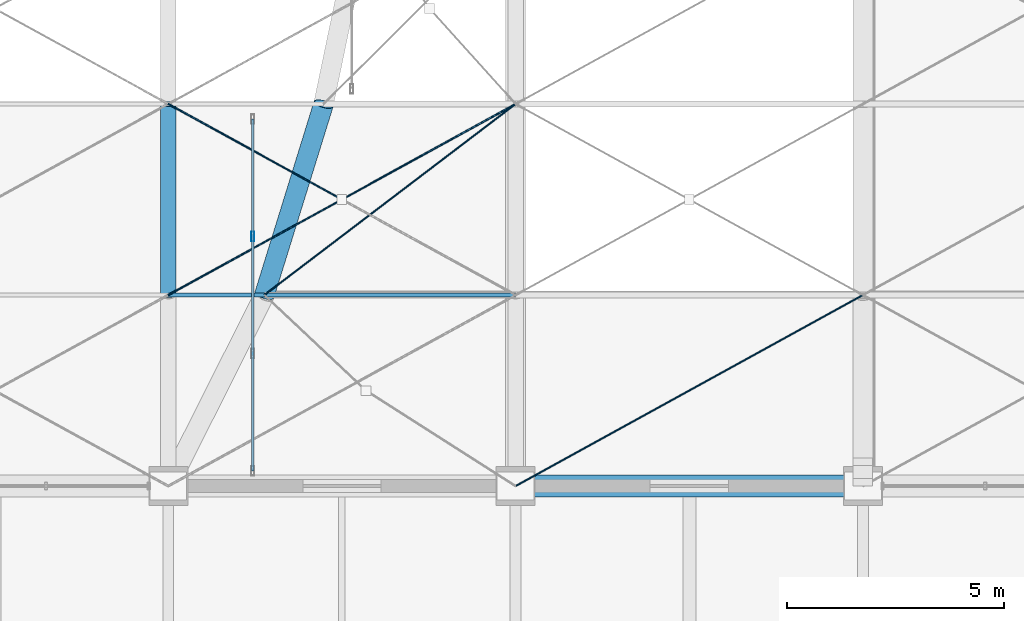
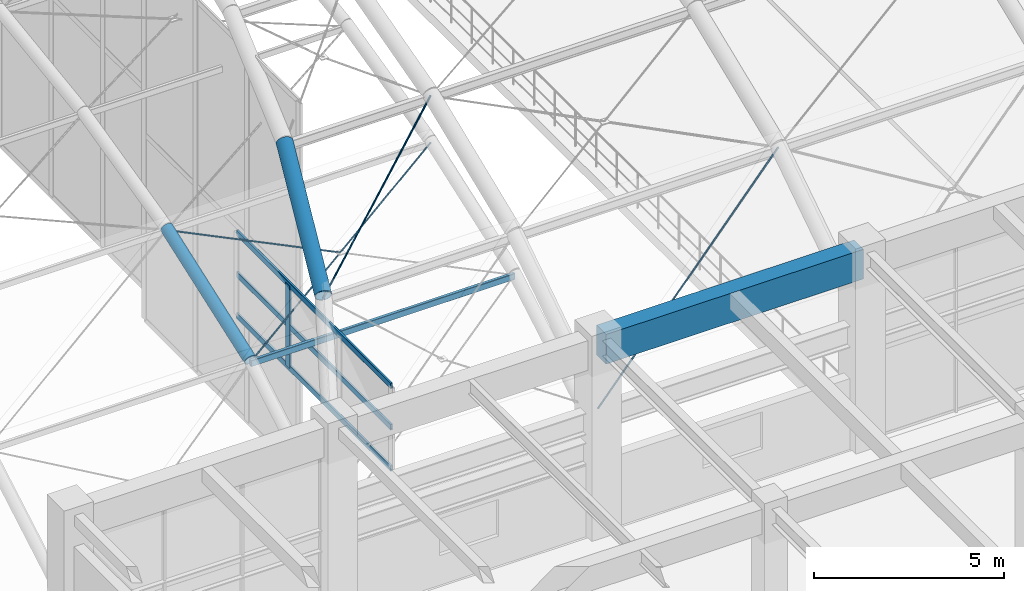
# One storey, part 17 of 163: 8 members, 4 beams, 1 element without a shape of its own.
"""IFC4 building model written with IfcOpenShell, lengths in metres."""

from ifc_helpers import new_model, si_unit, direction, frame, origin, origin_2d, place, context, subcontext, project, spatial, rectangle, hollow_rectangle, circle, hollow_circle, extrude, material, material_profile, profile_set, type_object, element, aggregate, save


model = new_model("IFC4")

# Units and contexts
model_context = context("Model", 3, precision=1e-05, world=origin(), true_north=direction((0.0, 1.0)))
body_context = subcontext(model_context, "Body", "Model", "MODEL_VIEW")
ifc_project = project(units=[si_unit("LENGTHUNIT", "METRE"), si_unit("AREAUNIT", "SQUARE_METRE"), si_unit("VOLUMEUNIT", "CUBIC_METRE"), si_unit("PLANEANGLEUNIT", "RADIAN"), si_unit("MASSUNIT", "GRAM", prefix="KILO")], contexts=[model_context])

# Site, building, storey
site_placement = place(None, origin())
site = spatial("IfcSite", under=ifc_project, at=site_placement, CompositionType="ELEMENT")
building_placement = place(site_placement, origin())
building = spatial("IfcBuilding", under=site, at=building_placement, Name="Varnabhumi Central Station", CompositionType="ELEMENT")
storey_placement = place(building_placement, frame((0.0, 0.0, 9.60009765625)))
storey = spatial("IfcBuildingStorey", under=building, at=storey_placement, Name="L02", CompositionType="ELEMENT", Elevation=9.60009765625)

# Beams
ifc_material_1 = material(Name="Structural steel E350", Category="steel")
ifc_material_profile_1 = material_profile(ifc_material_1, hollow_circle(Radius=0.177734375, WallThickness=0.012451171875, at=origin_2d()), Name="Structural steel E350", Category="steel")
ifc_profile_set_1 = profile_set([ifc_material_profile_1], Name="Structural steel E350")
beam_type_1 = type_object("IfcBeamType", Name="BM-ARCH-CHS355", PredefinedType="BEAM", material=ifc_profile_set_1)
beam_1_placement = place(storey_placement, frame((40.0, 40.39990234375, 5.554443359375), z_axis=(0.0, 0.941622467523, 0.336670653094), x_axis=(-1.0, 0.0, 0.0)))
element("IfcBeam", 1, at=beam_1_placement, inside=storey, type_object=beam_type_1, Name="Entrance Portico Vault Arch Rib 4 Seg 2", PredefinedType="BEAM", context=body_context, shape_type="SweptSolid", body=[
    extrude(hollow_circle(Radius=0.177734375, WallThickness=0.012451171875, at=origin_2d()), origin(), (0.0, 0.0, 1.0), 4.6728515625),
])
ifc_material_2 = material(Name="Structural steel E450", Category="steel")
ifc_material_profile_2 = material_profile(ifc_material_2, hollow_circle(Radius=0.228515625, WallThickness=0.01611328125, at=origin_2d()), Name="Structural steel E450", Category="steel")
ifc_profile_set_2 = profile_set([ifc_material_profile_2], Name="Structural steel E450")
beam_type_2 = type_object("IfcBeamType", Name="BM-ARCH-CHS457", PredefinedType="BEAM", material=ifc_profile_set_2)
beam_2_placement = place(storey_placement, frame((42.2138671875, 40.39990234375, 6.844970703125), z_axis=(0.276040852247, 0.890793962409, 0.36095368737), x_axis=(-0.95518924728, 0.295995780173, 0.0)))
element("IfcBeam", 2, at=beam_2_placement, inside=storey, type_object=beam_type_2, Name="Ticket Hall Vault Arch Rib 1 Seg 2", PredefinedType="BEAM", context=body_context, shape_type="SweptSolid", body=[
    extrude(hollow_circle(Radius=0.228515625, WallThickness=0.01611328125, at=origin_2d()), origin(), (0.0, 0.0, 1.0), 4.939697265625),
])
ifc_material_profile_3 = material_profile(ifc_material_1, hollow_rectangle(XDim=0.10009765625, YDim=0.199951171875, WallThickness=0.008056640625, InnerFilletRadius=0.008056640625, OuterFilletRadius=0.01611328125, at=origin_2d()), Name="Structural steel E350", Category="steel")
ifc_profile_set_3 = profile_set([ifc_material_profile_3], Name="Structural steel E350")
beam_type_3 = type_object("IfcBeamType", Name="BM-PUR-RHS200", PredefinedType="JOIST", material=ifc_profile_set_3)
beam_3_placement = place(storey_placement, frame((40.0, 40.39990234375, 5.454345703125), z_axis=(1.0, 0.0, 0.0), x_axis=(0.0, 1.0, 0.0)))
element("IfcBeam", 3, at=beam_3_placement, inside=storey, type_object=beam_type_3, Name="Entrance Portico Vault Purlin B4-L1", PredefinedType="JOIST", context=body_context, shape_type="SweptSolid", body=[
    extrude(hollow_rectangle(XDim=0.10009765625, YDim=0.199951171875, WallThickness=0.008056640625, InnerFilletRadius=0.008056640625, OuterFilletRadius=0.01611328125, at=origin_2d()), origin(), (0.0, 0.0, 1.0), 8.0),
])
ifc_material_3 = material(Name="Concrete M40", Category="concrete")
ifc_material_profile_4 = material_profile(ifc_material_3, rectangle(XDim=0.5, YDim=0.949951171875, at=origin_2d()), Name="Concrete M40", Category="concrete")
ifc_profile_set_4 = profile_set([ifc_material_profile_4], Name="Concrete M40")
beam_type_4 = type_object("IfcBeamType", Name="BM-RC-950x500", PredefinedType="BEAM", material=ifc_profile_set_4)
beam_4_placement = place(storey_placement, frame((48.10009765625, 36.0, 5.875), z_axis=(1.0, 0.0, 0.0), x_axis=(0.0, 1.0, 0.0)))
element("IfcBeam", 4, at=beam_4_placement, inside=storey, type_object=beam_type_4, Name="Beam L02-E:7-8", PredefinedType="BEAM", context=body_context, shape_type="SweptSolid", body=[
    extrude(rectangle(XDim=0.5, YDim=0.949951171875, at=origin_2d()), origin(), (0.0, 0.0, 1.0), 7.7998046875),
])

# Curtain wall, members
ifc_material_4 = material(Name="Anodised aluminium 6063-T6", Category="aluminium")
curtain_wall_type = type_object("IfcCurtainWallType", Name="CW-VAULT-ARCH-V3", PredefinedType="NOTDEFINED", material=ifc_material_4)
curtain_wall_placement = place(storey_placement, origin())
curtain_wall = element("IfcCurtainWall", 5, at=curtain_wall_placement, inside=storey, type_object=curtain_wall_type, Name="Curtain Wall CW-V31", PredefinedType="NOTDEFINED")
ifc_material_profile_5 = material_profile(ifc_material_4, hollow_rectangle(XDim=0.074951171875, YDim=0.219970703125, WallThickness=0.0048828125, InnerFilletRadius=0.0009765625, OuterFilletRadius=0.006103515625, at=origin_2d()), Name="Anodised aluminium 6063-T6", Category="aluminium")
ifc_profile_set_5 = profile_set([ifc_material_profile_5], Name="Anodised aluminium 6063-T6")
member_type_1 = type_object("IfcMemberType", Name="CW-MUL-220", PredefinedType="MULLION", material=ifc_profile_set_5)
member_1_placement = place(storey_placement, frame((41.946044921875, 41.75, 3.849853515625), z_axis=(0.0, 0.0, 1.0), x_axis=(1.0, 0.0, 0.0)))
member_1 = element("IfcMember", 6, at=member_1_placement, type_object=member_type_1, Name="Curtain Wall Mullion CW-V31-M3", PredefinedType="MULLION", context=body_context, shape_type="SweptSolid", body=[
    extrude(hollow_rectangle(XDim=0.074951171875, YDim=0.219970703125, WallThickness=0.0048828125, InnerFilletRadius=0.0009765625, OuterFilletRadius=0.006103515625, at=origin_2d()), origin(), (0.0, 0.0, 1.0), 2.645263671875),
])
ifc_material_profile_6 = material_profile(ifc_material_4, hollow_rectangle(XDim=0.06494140625, YDim=0.179931640625, WallThickness=0.00390625, InnerFilletRadius=0.001953125, OuterFilletRadius=0.006103515625, at=origin_2d()), Name="Anodised aluminium 6063-T6", Category="aluminium")
ifc_profile_set_6 = profile_set([ifc_material_profile_6], Name="Anodised aluminium 6063-T6")
member_type_2 = type_object("IfcMemberType", Name="CW-TR-180", PredefinedType="USERDEFINED", material=ifc_profile_set_6)
member_2_placement = place(storey_placement, frame((41.946044921875, 36.35009765625, 3.849853515625), z_axis=(0.0, 1.0, 0.0), x_axis=(-1.0, 0.0, 0.0)))
member_2 = element("IfcMember", 7, at=member_2_placement, type_object=member_type_2, Name="Curtain Wall Transom CW-V31-T1", ObjectType="TRANSOM", PredefinedType="USERDEFINED", context=body_context, shape_type="SweptSolid", body=[
    extrude(hollow_rectangle(XDim=0.06494140625, YDim=0.179931640625, WallThickness=0.00390625, InnerFilletRadius=0.001953125, OuterFilletRadius=0.006103515625, at=origin_2d()), origin(), (0.0, 0.0, 1.0), 8.099853515625),
])
member_3_placement = place(storey_placement, frame((41.946044921875, 36.35009765625, 5.17236328125), z_axis=(0.0, 1.0, 0.0), x_axis=(-1.0, 0.0, 0.0)))
member_3 = element("IfcMember", 8, at=member_3_placement, type_object=member_type_2, Name="Curtain Wall Transom CW-V31-T2", ObjectType="TRANSOM", PredefinedType="USERDEFINED", context=body_context, shape_type="SweptSolid", body=[
    extrude(hollow_rectangle(XDim=0.06494140625, YDim=0.179931640625, WallThickness=0.00390625, InnerFilletRadius=0.001953125, OuterFilletRadius=0.006103515625, at=origin_2d()), origin(), (0.0, 0.0, 1.0), 8.099853515625),
])
member_4_placement = place(storey_placement, frame((41.946044921875, 36.35009765625, 6.4951171875), z_axis=(0.0, 1.0, 0.0), x_axis=(-1.0, 0.0, 0.0)))
member_4 = element("IfcMember", 9, at=member_4_placement, type_object=member_type_2, Name="Curtain Wall Transom CW-V31-T3", ObjectType="TRANSOM", PredefinedType="USERDEFINED", context=body_context, shape_type="SweptSolid", body=[
    extrude(hollow_rectangle(XDim=0.06494140625, YDim=0.179931640625, WallThickness=0.00390625, InnerFilletRadius=0.001953125, OuterFilletRadius=0.006103515625, at=origin_2d()), origin(), (0.0, 0.0, 1.0), 8.099853515625),
])
aggregate(curtain_wall, [member_1, member_2, member_3, member_4])

# Members
ifc_material_5 = material(Name="Spiral-strand steel S1570", Category="steel")
ifc_material_profile_7 = material_profile(ifc_material_5, circle(Radius=0.01806640625, at=origin_2d()), Name="Spiral-strand steel S1570", Category="steel")
ifc_profile_set_7 = profile_set([ifc_material_profile_7], Name="Spiral-strand steel S1570")
member_type_3 = type_object("IfcMemberType", Name="MBR-CABLE-D36", PredefinedType="USERDEFINED", material=ifc_profile_set_7)
member_5_placement = place(storey_placement, frame((40.0, 40.39990234375, 5.474365234375), z_axis=(0.86348399062, 0.474932005705, 0.169808680284), x_axis=(-0.481931067474, 0.876209133828, 0.0)))
element("IfcMember", 10, at=member_5_placement, inside=storey, type_object=member_type_3, Name="Entrance Portico Vault Cable-Net Tie B4-P2A", ObjectType="TENSION CABLE", PredefinedType="USERDEFINED", context=body_context, shape_type="SweptSolid", body=[
    extrude(circle(Radius=0.01806640625, at=origin_2d()), origin(), (0.0, 0.0, 1.0), 9.264892578125),
])
member_6_placement = place(storey_placement, frame((40.0, 44.800048828125, 7.047607421875), z_axis=(0.863494797148, -0.474911597723, -0.169810805445), x_axis=(0.481910537812, 0.876220425204, 0.0)))
element("IfcMember", 11, at=member_6_placement, inside=storey, type_object=member_type_3, Name="Entrance Portico Vault Cable-Net Split Tie B4-P2B1", ObjectType="TENSION CABLE", PredefinedType="USERDEFINED", context=body_context, shape_type="SweptSolid", body=[
    extrude(circle(Radius=0.01806640625, at=origin_2d()), origin(), (0.0, 0.0, 1.0), 4.63232421875),
])
ifc_material_profile_8 = material_profile(ifc_material_5, circle(Radius=0.02099609375, at=origin_2d()), Name="Spiral-strand steel S1570", Category="steel")
ifc_profile_set_8 = profile_set([ifc_material_profile_8], Name="Spiral-strand steel S1570")
member_type_4 = type_object("IfcMemberType", Name="MBR-CABLE-D42", PredefinedType="USERDEFINED", material=ifc_profile_set_8)
member_7_placement = place(storey_placement, frame((42.2138671875, 40.39990234375, 6.764892578125), z_axis=(0.773069488627, 0.58789161998, 0.238216306981), x_axis=(-0.605317422479, 0.795984182031, 0.0)))
element("IfcMember", 12, at=member_7_placement, inside=storey, type_object=member_type_4, Name="Ticket Hall Vault Cable-Net Tie B1-P2A", ObjectType="TENSION CABLE", PredefinedType="USERDEFINED", context=body_context, shape_type="SweptSolid", body=[
    extrude(circle(Radius=0.02099609375, at=origin_2d()), origin(), (0.0, 0.0, 1.0), 7.484619140625),
])
member_8_placement = place(storey_placement, frame((48.0, 36.0, 3.869873046875), z_axis=(0.8352374511, 0.459370402335, 0.302253591771), x_axis=(-0.481910537812, 0.876220425204, 0.0)))
element("IfcMember", 13, at=member_8_placement, inside=storey, type_object=member_type_4, Name="Ticket Hall Vault Cable-Net Tie B2-P1A", ObjectType="TENSION CABLE", PredefinedType="USERDEFINED", context=body_context, shape_type="SweptSolid", body=[
    extrude(circle(Radius=0.02099609375, at=origin_2d()), origin(), (0.0, 0.0, 1.0), 9.578125),
])

save(model, "model.ifc")
